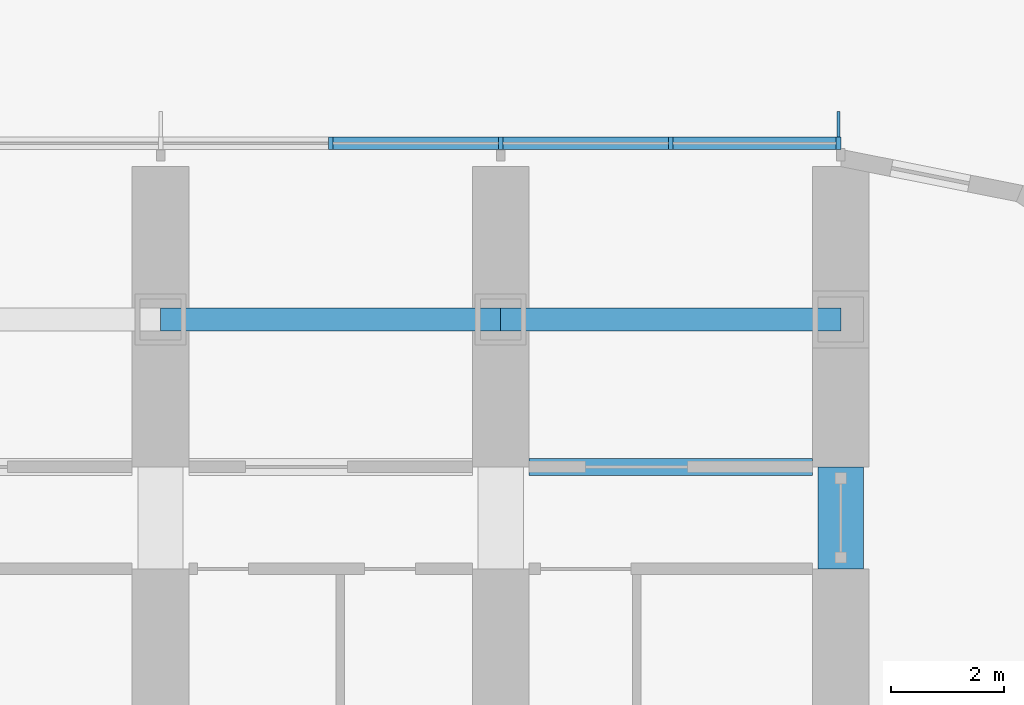
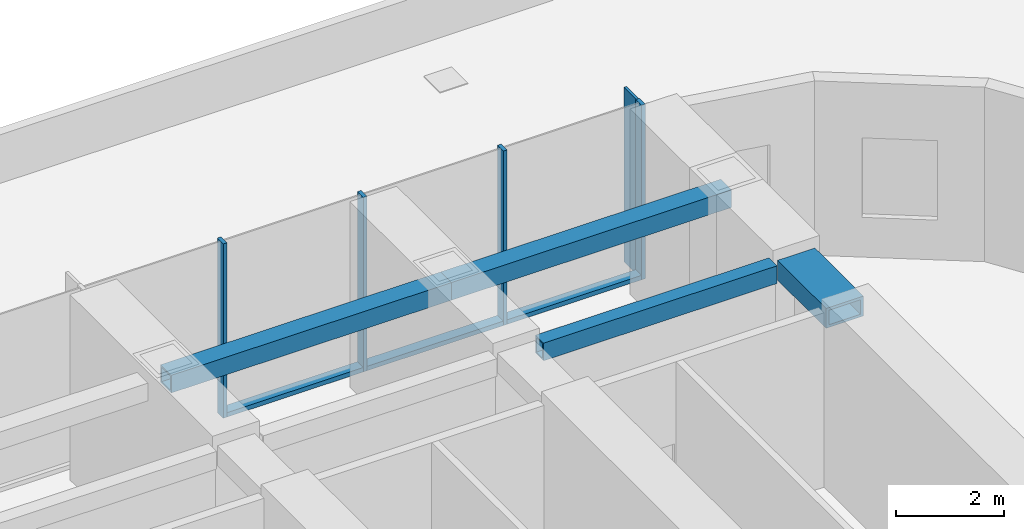
# One storey, part 7 of 23: 8 members, 4 beams, 1 element without a shape of its own.
"""IFC4 building model written with IfcOpenShell, lengths in metres."""

from ifc_helpers import new_model, si_unit, direction, frame, origin, origin_2d, place, context, subcontext, project, spatial, rectangle, hollow_rectangle, extrude, material, material_profile, profile_set, type_object, element, aggregate, save


model = new_model("IFC4")

# Units and contexts
model_context = context("Model", 3, precision=1e-05, world=origin(), true_north=direction((0.0, 1.0)))
body_context = subcontext(model_context, "Body", "Model", "MODEL_VIEW")
ifc_project = project(units=[si_unit("LENGTHUNIT", "METRE"), si_unit("AREAUNIT", "SQUARE_METRE"), si_unit("VOLUMEUNIT", "CUBIC_METRE"), si_unit("PLANEANGLEUNIT", "RADIAN"), si_unit("MASSUNIT", "GRAM", prefix="KILO")], contexts=[model_context])

# Site, building, storey
site_placement = place(None, origin())
site = spatial("IfcSite", under=ifc_project, at=site_placement, CompositionType="ELEMENT")
building_placement = place(site_placement, origin())
building = spatial("IfcBuilding", under=site, at=building_placement, Name="Orbita Commons", CompositionType="ELEMENT")
storey_placement = place(building_placement, frame((0.0, 0.0, 16.0)))
storey = spatial("IfcBuildingStorey", under=building, at=storey_placement, Name="L03", CompositionType="ELEMENT", Elevation=16.0)

# Curtain wall, members
ifc_material_1 = material(Name="Anodised aluminium frame, pale silver", Category="aluminium")
curtain_wall_type = type_object("IfcCurtainWallType", Name="Unitised curtain wall CW-S, full-height", PredefinedType="NOTDEFINED", material=ifc_material_1)
curtain_wall_placement = place(storey_placement, origin())
curtain_wall = element("IfcCurtainWall", 1, at=curtain_wall_placement, inside=storey, type_object=curtain_wall_type, Name="Curtain wall north L03", PredefinedType="NOTDEFINED")
ifc_material_2 = material(Name="Anodised aluminium, pale silver", Category="aluminium")
ifc_material_profile_1 = material_profile(ifc_material_2, rectangle(XDim=0.080078125, YDim=0.219970703125, at=origin_2d()), Name="AL 80x220")
ifc_profile_set_1 = profile_set([ifc_material_profile_1], Name="Anodised aluminium, pale silver")
member_type_1 = type_object("IfcMemberType", Name="Curtain wall mullion 80x220", PredefinedType="MULLION", material=ifc_profile_set_1)
member_1_placement = place(storey_placement, frame((71.9599609375, 56.7099609375, 0.0), z_axis=(0.0, 0.0, 1.0), x_axis=(-1.0, 0.0, 0.0)))
member_1 = element("IfcMember", 2, at=member_1_placement, type_object=member_type_1, Name="Mullion 1 CW-L03-N", PredefinedType="MULLION", context=body_context, shape_type="SweptSolid", body=[
    extrude(rectangle(XDim=0.080078125, YDim=0.219970703125, at=origin_2d()), origin(), (0.0, 0.0, 1.0), 3.949951171875),
])
member_2_placement = place(storey_placement, frame((69.0, 56.7099609375, 0.0), z_axis=(0.0, 0.0, 1.0), x_axis=(-1.0, 0.0, 0.0)))
member_2 = element("IfcMember", 3, at=member_2_placement, type_object=member_type_1, Name="Mullion 2 CW-L03-N", PredefinedType="MULLION", context=body_context, shape_type="SweptSolid", body=[
    extrude(rectangle(XDim=0.080078125, YDim=0.219970703125, at=origin_2d()), origin(), (0.0, 0.0, 1.0), 3.949951171875),
])
member_3_placement = place(storey_placement, frame((66.0, 56.7099609375, 0.0), z_axis=(0.0, 0.0, 1.0), x_axis=(-1.0, 0.0, 0.0)))
member_3 = element("IfcMember", 4, at=member_3_placement, type_object=member_type_1, Name="Mullion 3 CW-L03-N", PredefinedType="MULLION", context=body_context, shape_type="SweptSolid", body=[
    extrude(rectangle(XDim=0.080078125, YDim=0.219970703125, at=origin_2d()), origin(), (0.0, 0.0, 1.0), 3.949951171875),
])
member_4_placement = place(storey_placement, frame((63.0, 56.7099609375, 0.0), z_axis=(0.0, 0.0, 1.0), x_axis=(-1.0, 0.0, 0.0)))
member_4 = element("IfcMember", 5, at=member_4_placement, type_object=member_type_1, Name="Mullion 4 CW-L03-N", PredefinedType="MULLION", context=body_context, shape_type="SweptSolid", body=[
    extrude(rectangle(XDim=0.080078125, YDim=0.219970703125, at=origin_2d()), origin(), (0.0, 0.0, 1.0), 3.949951171875),
])
ifc_material_3 = material(Name="Anodised aluminium, pale silver", Category="aluminium")
ifc_material_profile_2 = material_profile(ifc_material_3, rectangle(XDim=0.219970703125, YDim=0.10009765625, at=origin_2d()), Name="AL 220x100")
ifc_profile_set_2 = profile_set([ifc_material_profile_2], Name="Anodised aluminium, pale silver")
member_type_2 = type_object("IfcMemberType", Name="Curtain wall stack transom 220x100", PredefinedType="USERDEFINED", material=ifc_profile_set_2)
member_5_placement = place(storey_placement, frame((71.919921875, 56.7099609375, 0.050048828125), z_axis=(-1.0, 0.0, 0.0), x_axis=(0.0, -1.0, 0.0)))
member_5 = element("IfcMember", 6, at=member_5_placement, type_object=member_type_2, Name="Transom 1.1 CW-L03-N", ObjectType="TRANSOM", PredefinedType="USERDEFINED", context=body_context, shape_type="SweptSolid", body=[
    extrude(rectangle(XDim=0.219970703125, YDim=0.10009765625, at=origin_2d()), origin(), (0.0, 0.0, 1.0), 2.8798828125),
])
member_6_placement = place(storey_placement, frame((68.9599609375, 56.7099609375, 0.050048828125), z_axis=(-1.0, 0.0, 0.0), x_axis=(0.0, -1.0, 0.0)))
member_6 = element("IfcMember", 7, at=member_6_placement, type_object=member_type_2, Name="Transom 2.1 CW-L03-N", ObjectType="TRANSOM", PredefinedType="USERDEFINED", context=body_context, shape_type="SweptSolid", body=[
    extrude(rectangle(XDim=0.219970703125, YDim=0.10009765625, at=origin_2d()), origin(), (0.0, 0.0, 1.0), 2.919921875),
])
member_7_placement = place(storey_placement, frame((65.9599609375, 56.7099609375, 0.050048828125), z_axis=(-1.0, 0.0, 0.0), x_axis=(0.0, -1.0, 0.0)))
member_7 = element("IfcMember", 8, at=member_7_placement, type_object=member_type_2, Name="Transom 3.1 CW-L03-N", ObjectType="TRANSOM", PredefinedType="USERDEFINED", context=body_context, shape_type="SweptSolid", body=[
    extrude(rectangle(XDim=0.219970703125, YDim=0.10009765625, at=origin_2d()), origin(), (0.0, 0.0, 1.0), 2.919921875),
])

# Beams
ifc_material_4 = material(Name="Steel ASTM A572 Gr 50 welded plate", Category="steel")
ifc_material_profile_3 = material_profile(ifc_material_4, hollow_rectangle(XDim=0.300048828125, YDim=0.39990234375, WallThickness=0.0400390625, at=origin_2d()), Name="BOX 400x300x40")
ifc_profile_set_3 = profile_set([ifc_material_profile_3], Name="Steel ASTM A572 Gr 50 welded plate")
beam_type_1 = type_object("IfcBeamType", Name="Steel corridor link BOX 400x300x40", PredefinedType="BEAM", material=ifc_profile_set_3)
beam_1_placement = place(storey_placement, frame((66.5, 51.0, 3.75), z_axis=(1.0, 0.0, 0.0), x_axis=(0.0, 1.0, 0.0)))
element("IfcBeam", 9, at=beam_1_placement, inside=storey, type_object=beam_type_1, Name="Corridor beam NB 12-13 L03", PredefinedType="BEAM", context=body_context, shape_type="SweptSolid", body=[
    extrude(hollow_rectangle(XDim=0.300048828125, YDim=0.39990234375, WallThickness=0.0400390625, at=origin_2d()), origin(), (0.0, 0.0, 1.0), 5.0),
])
ifc_material_5 = material(Name="Steel ASTM A572 Gr 50 welded plate", Category="steel")
ifc_material_profile_4 = material_profile(ifc_material_5, hollow_rectangle(XDim=0.800048828125, YDim=0.449951171875, WallThickness=0.06005859375, at=origin_2d()), Name="BOX 450x800x60")
ifc_profile_set_4 = profile_set([ifc_material_profile_4], Name="Steel ASTM A572 Gr 50 welded plate")
beam_type_2 = type_object("IfcBeamType", Name="Steel coupling link BOX 450x800x60", PredefinedType="LINTEL", material=ifc_profile_set_4)
beam_2_placement = place(storey_placement, frame((72.0, 49.199951171875, 3.72509765625), z_axis=(0.0, 1.0, 0.0), x_axis=(-1.0, 0.0, 0.0)))
element("IfcBeam", 10, at=beam_2_placement, inside=storey, type_object=beam_type_2, Name="Coupling beam 13 north L03", PredefinedType="LINTEL", context=body_context, shape_type="SweptSolid", body=[
    extrude(hollow_rectangle(XDim=0.800048828125, YDim=0.449951171875, WallThickness=0.06005859375, at=origin_2d()), origin(), (0.0, 0.0, 1.0), 1.800048828125),
])
ifc_material_6 = material(Name="Steel ASTM A572 Gr 50 welded plate", Category="steel")
ifc_material_profile_5 = material_profile(ifc_material_6, hollow_rectangle(XDim=0.39990234375, YDim=0.39990234375, WallThickness=0.0400390625, at=origin_2d()), Name="BOX 400x400x40")
ifc_profile_set_5 = profile_set([ifc_material_profile_5], Name="Steel ASTM A572 Gr 50 welded plate")
beam_type_3 = type_object("IfcBeamType", Name="Steel spandrel BOX 400x400x40", PredefinedType="SPANDREL", material=ifc_profile_set_5)
for number, where, z_axis, x_axis, name in (
    (11, (60.0, 53.60009765625, 3.75), (1.0, 0.0, 0.0), (0.0, 1.0, 0.0), "Spandrel beam E 11-12 L03"),
    (12, (66.0, 53.60009765625, 3.75), (1.0, 0.0, 0.0), (0.0, 1.0, 0.0), "Spandrel beam E 12-13 L03"),
):
    element("IfcBeam", number, at=place(storey_placement, frame(where, z_axis=z_axis, x_axis=x_axis)), inside=storey, type_object=beam_type_3, Name=name, PredefinedType="SPANDREL", context=body_context, shape_type="SweptSolid", body=[
        extrude(hollow_rectangle(XDim=0.39990234375, YDim=0.39990234375, WallThickness=0.0400390625, at=origin_2d()), origin(), (0.0, 0.0, 1.0), 6.0),
    ])

# Member
ifc_material_7 = material(Name="Anodised aluminium, pale silver", Category="aluminium")
ifc_material_profile_6 = material_profile(ifc_material_7, rectangle(XDim=0.06005859375, YDim=0.449951171875, at=origin_2d()), Name="FIN 60x450")
ifc_profile_set_6 = profile_set([ifc_material_profile_6], Name="Anodised aluminium, pale silver")
member_type_3 = type_object("IfcMemberType", Name="Vertical fin 60x450 pale aluminium", PredefinedType="USERDEFINED", material=ifc_profile_set_6)
member_8_placement = place(storey_placement, frame((71.9599609375, 57.044921875, 0.0), z_axis=(0.0, 0.0, 1.0), x_axis=(-1.0, 0.0, 0.0)))
member_8 = element("IfcMember", 13, at=member_8_placement, type_object=member_type_3, Name="Fin 1 CW-L03-N", ObjectType="FIN", PredefinedType="USERDEFINED", context=body_context, shape_type="SweptSolid", body=[
    extrude(rectangle(XDim=0.06005859375, YDim=0.449951171875, at=origin_2d()), origin(), (0.0, 0.0, 1.0), 3.949951171875),
])

aggregate(curtain_wall, [member_1, member_8, member_2, member_3, member_4, member_5, member_6, member_7])

save(model, "model.ifc")
